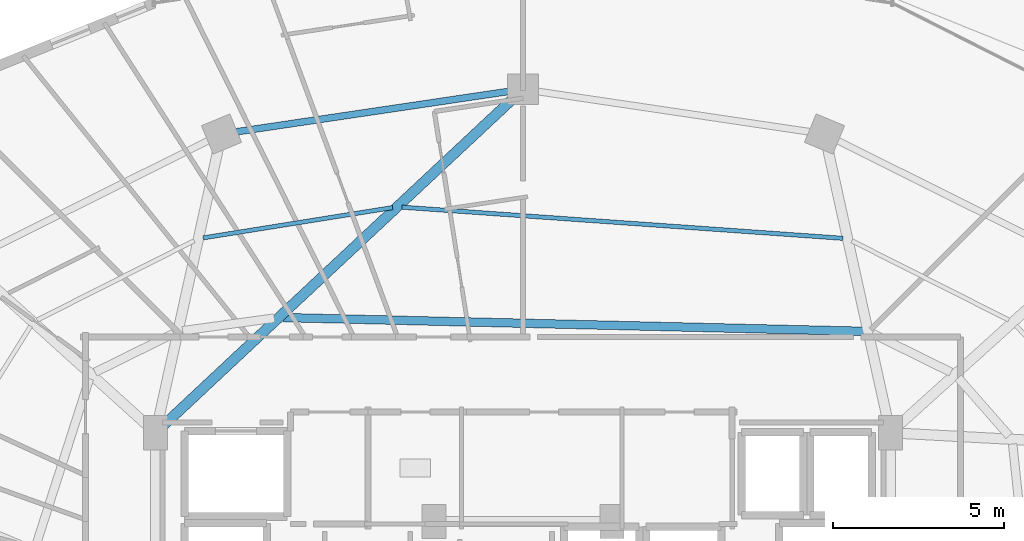
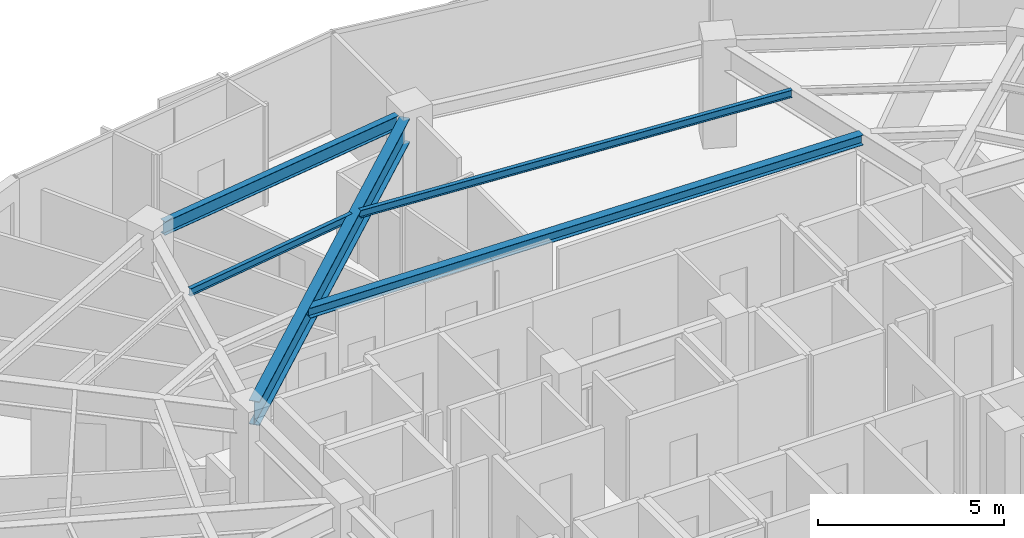
# One storey, part 18 of 33: 5 beams.
"""IFC4 building model written with IfcOpenShell, lengths in metres."""

from ifc_helpers import new_model, si_unit, direction, frame, origin, origin_2d, place, context, subcontext, project, spatial, i_section, extrude, material, material_profile, profile_set, type_object, element, save


model = new_model("IFC4")

# Units and contexts
model_context = context("Model", 3, precision=1e-05, world=origin(), true_north=direction((0.0, 1.0)))
body_context = subcontext(model_context, "Body", "Model", "MODEL_VIEW")
ifc_project = project(units=[si_unit("LENGTHUNIT", "METRE"), si_unit("AREAUNIT", "SQUARE_METRE"), si_unit("VOLUMEUNIT", "CUBIC_METRE"), si_unit("PLANEANGLEUNIT", "RADIAN"), si_unit("MASSUNIT", "GRAM", prefix="KILO")], contexts=[model_context])

# Site, building, storey
site_placement = place(None, origin())
site = spatial("IfcSite", under=ifc_project, at=site_placement, CompositionType="ELEMENT")
building_placement = place(site_placement, origin())
building = spatial("IfcBuilding", under=site, at=building_placement, Name="Vorneva Point Tower", CompositionType="ELEMENT")
storey_placement = place(building_placement, frame((0.0, 0.0, 203.64990234375)))
storey = spatial("IfcBuildingStorey", under=building, at=storey_placement, Name="L55", CompositionType="ELEMENT", Elevation=203.64990234375)

# Beams
ifc_material = material(Name="Steel S355", Category="steel")
ifc_material_profile_1 = material_profile(ifc_material, i_section(OverallWidth=0.300048828125, OverallDepth=0.7880859375, WebThickness=0.014404296875, FlangeThickness=0.02197265625, at=origin_2d()), Name="80Sh1")
ifc_profile_set_1 = profile_set([ifc_material_profile_1], Name="Steel S355")
beam_type_1 = type_object("IfcBeamType", Name="BM-GRD-80Sh1", PredefinedType="USERDEFINED", material=ifc_profile_set_1)
beam_1_placement = place(storey_placement, frame((37.679931640625, 42.90087890625, 2.89599609375), z_axis=(-0.730484767146, -0.682928989696, 0.0), x_axis=(0.682928989696, -0.730484767146, 0.0)))
element("IfcBeam", 1, at=beam_1_placement, inside=storey, type_object=beam_type_1, Name="L55 Radial Primary Girder 05", ObjectType="GIRDER", PredefinedType="USERDEFINED", context=body_context, shape_type="SweptSolid", body=[
    extrude(i_section(OverallWidth=0.300048828125, OverallDepth=0.7880859375, WebThickness=0.014404296875, FlangeThickness=0.02197265625, at=origin_2d()), origin(), (0.0, 0.0, 1.0), 13.938232421875),
])
ifc_material_profile_2 = material_profile(ifc_material, i_section(OverallWidth=0.1240234375, OverallDepth=0.248046875, WebThickness=0.0048828125, FlangeThickness=0.008056640625, at=origin_2d()), Name="25B1")
ifc_profile_set_2 = profile_set([ifc_material_profile_2], Name="Steel S355")
beam_type_2 = type_object("IfcBeamType", Name="BM-JST-25B1", PredefinedType="JOIST", material=ifc_profile_set_2)
beam_2_placement = place(storey_placement, frame((47.35888671875, 38.839111328125, 3.166015625), z_axis=(-0.997516721019, 0.070430045344, 0.0), x_axis=(-0.070430045344, -0.997516721019, 0.0)))
element("IfcBeam", 2, at=beam_2_placement, inside=storey, type_object=beam_type_2, Name="L55 Secondary Floor Beam 1.04", PredefinedType="JOIST", context=body_context, shape_type="SweptSolid", body=[
    extrude(i_section(OverallWidth=0.1240234375, OverallDepth=0.248046875, WebThickness=0.0048828125, FlangeThickness=0.008056640625, at=origin_2d()), origin(), (0.0, 0.0, 1.0), 12.933349609375),
])
beam_3_placement = place(storey_placement, frame((34.183837890625, 39.73779296875, 3.166015625), z_axis=(-0.987450398391, -0.157929448543, 0.0), x_axis=(0.157929448543, -0.987450398391, 0.0)))
element("IfcBeam", 3, at=beam_3_placement, inside=storey, type_object=beam_type_2, Name="L55 Secondary Floor Beam 1.05", PredefinedType="JOIST", context=body_context, shape_type="SweptSolid", body=[
    extrude(i_section(OverallWidth=0.1240234375, OverallDepth=0.248046875, WebThickness=0.0048828125, FlangeThickness=0.008056640625, at=origin_2d()), origin(), (0.0, 0.0, 1.0), 5.61474609375),
])
ifc_material_profile_3 = material_profile(ifc_material, i_section(OverallWidth=0.2490234375, OverallDepth=0.333984375, WebThickness=0.008056640625, FlangeThickness=0.010986328125, at=origin_2d()), Name="35Sh1")
ifc_profile_set_3 = profile_set([ifc_material_profile_3], Name="Steel S355")
beam_type_3 = type_object("IfcBeamType", Name="BM-SEC-35Sh1", PredefinedType="BEAM", material=ifc_profile_set_3)
beam_4_placement = place(storey_placement, frame((47.95751953125, 36.118896484375, 3.123046875), z_axis=(-0.999720468409, 0.02364286456, 0.0), x_axis=(-0.02364286456, -0.999720468409, 0.0)))
element("IfcBeam", 4, at=beam_4_placement, inside=storey, type_object=beam_type_3, Name="L55 Secondary Floor Beam 2.04", PredefinedType="BEAM", context=body_context, shape_type="SweptSolid", body=[
    extrude(i_section(OverallWidth=0.2490234375, OverallDepth=0.333984375, WebThickness=0.008056640625, FlangeThickness=0.010986328125, at=origin_2d()), origin(), (0.0, 0.0, 1.0), 16.9658203125),
])
ifc_material_profile_4 = material_profile(ifc_material, i_section(OverallWidth=0.198974609375, OverallDepth=0.446044921875, WebThickness=0.008056640625, FlangeThickness=0.011962890625, at=origin_2d()), Name="45B1")
ifc_profile_set_4 = profile_set([ifc_material_profile_4], Name="Steel S355")
beam_type_4 = type_object("IfcBeamType", Name="BM-SPN-45B1", PredefinedType="SPANDREL", material=ifc_profile_set_4)
beam_5_placement = place(storey_placement, frame((37.569580078125, 43.135986328125, 3.067138671875), z_axis=(-0.989165476332, -0.146804837907, 0.0), x_axis=(0.146804837907, -0.989165476332, 0.0)))
element("IfcBeam", 5, at=beam_5_placement, inside=storey, type_object=beam_type_4, Name="L55 Perimeter Spandrel Ring Beam 05", PredefinedType="SPANDREL", context=body_context, shape_type="SweptSolid", body=[
    extrude(i_section(OverallWidth=0.198974609375, OverallDepth=0.446044921875, WebThickness=0.008056640625, FlangeThickness=0.011962890625, at=origin_2d()), origin(), (0.0, 0.0, 1.0), 8.04736328125),
])

save(model, "model.ifc")
